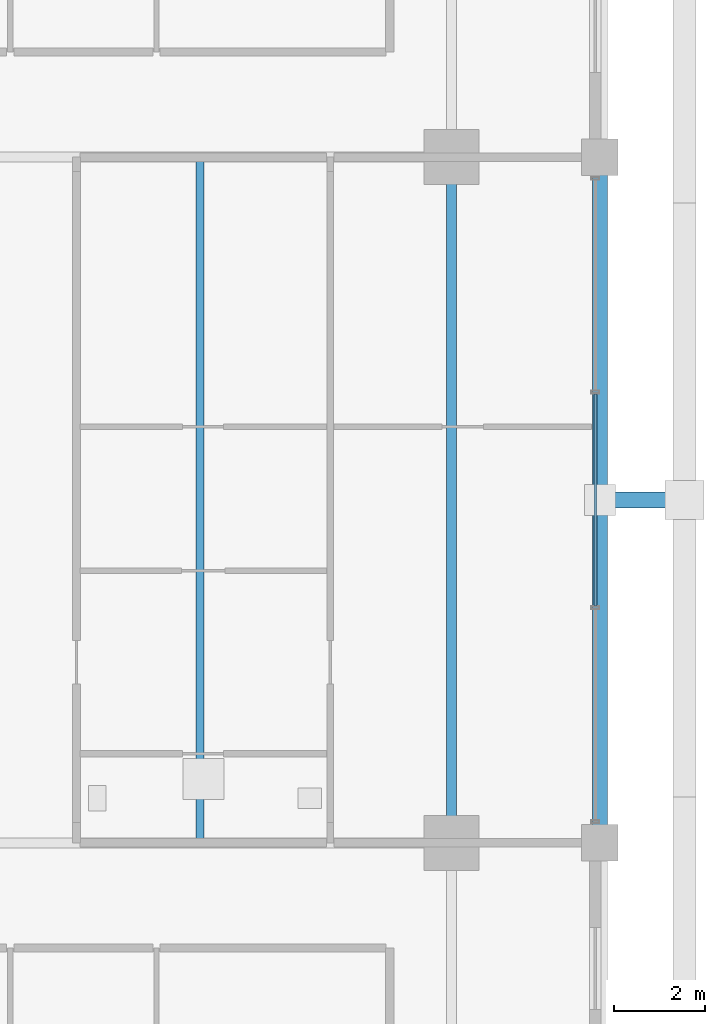
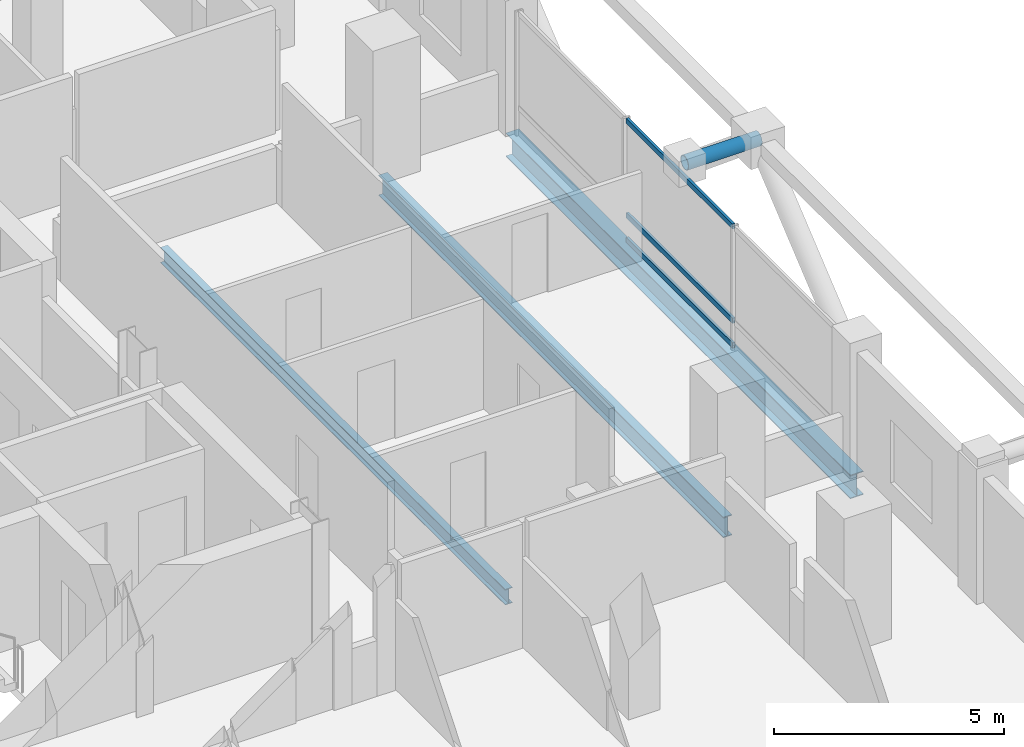
# One storey, part 10 of 25: 4 members, 3 beams, 1 element without a shape of its own.
"""IFC4 building model written with IfcOpenShell, lengths in metres."""

from ifc_helpers import new_model, si_unit, direction, frame, origin, origin_2d, place, context, subcontext, project, spatial, hollow_rectangle, hollow_circle, i_section, extrude, material, layer, layer_set, material_profile, profile_set, type_object, element, aggregate, save


model = new_model("IFC4")

# Units and contexts
model_context = context("Model", 3, precision=1e-05, world=origin(), true_north=direction((0.0, 1.0)))
body_context = subcontext(model_context, "Body", "Model", "MODEL_VIEW")
ifc_project = project(units=[si_unit("LENGTHUNIT", "METRE"), si_unit("AREAUNIT", "SQUARE_METRE"), si_unit("VOLUMEUNIT", "CUBIC_METRE"), si_unit("PLANEANGLEUNIT", "RADIAN"), si_unit("MASSUNIT", "GRAM", prefix="KILO")], contexts=[model_context])

# Site, building, storey
site_placement = place(None, origin())
site = spatial("IfcSite", under=ifc_project, at=site_placement, CompositionType="ELEMENT")
building_placement = place(site_placement, origin())
building = spatial("IfcBuilding", under=site, at=building_placement, Name="Barlavira Tower and Art Museum", CompositionType="ELEMENT")
storey_placement = place(building_placement, frame((0.0, 0.0, 162.0)))
storey = spatial("IfcBuildingStorey", under=building, at=storey_placement, Name="L41", CompositionType="ELEMENT", Elevation=162.0)

# Curtain wall, members
ifc_material_1 = material(Name="Low-iron coastal laminated glass", Category="glass")
ifc_layer = layer(ifc_material_1, 0.18994140625, Name="Low-iron coastal laminated glass")
ifc_layer_set = layer_set([ifc_layer], Name="Low-iron coastal laminated glass")
curtain_wall_type = type_object("IfcCurtainWallType", Name="Pale-Metal Unitised Curtain Wall Zone 2", PredefinedType="NOTDEFINED", material=ifc_layer_set)
curtain_wall_placement = place(storey_placement, origin())
curtain_wall = element("IfcCurtainWall", 1, at=curtain_wall_placement, inside=storey, type_object=curtain_wall_type, Name="L41 Curtain Wall CW2-L41-E-B3", PredefinedType="NOTDEFINED")
ifc_material_2 = material(Name="Pale anodised aluminium", Category="aluminium")
ifc_material_profile_1 = material_profile(ifc_material_2, hollow_rectangle(XDim=0.06494140625, YDim=0.139892578125, WallThickness=0.00390625, at=origin_2d()), Name="ALU-TRAN 65x140x4")
ifc_profile_set_1 = profile_set([ifc_material_profile_1], Name="Pale anodised aluminium")
member_type_1 = type_object("IfcMemberType", Name="Curtain Wall Pale-Metal Transom 65x140", PredefinedType="USERDEFINED", material=ifc_profile_set_1)
member_1_placement = place(storey_placement, frame((20.14990234375, -2.31494140625, 0.070068359375), z_axis=(0.0, 1.0, 0.0), x_axis=(-1.0, 0.0, 0.0)))
member_1 = element("IfcMember", 2, at=member_1_placement, type_object=member_type_1, Name="CW2-L41-E-B3 Transom 1.1", ObjectType="TRANSOM", PredefinedType="USERDEFINED", context=body_context, shape_type="SweptSolid", body=[
    extrude(hollow_rectangle(XDim=0.06494140625, YDim=0.139892578125, WallThickness=0.00390625, at=origin_2d()), origin(), (0.0, 0.0, 1.0), 4.6298828125),
])
member_2_placement = place(storey_placement, frame((20.14990234375, -2.31494140625, 0.72607421875), z_axis=(0.0, 1.0, 0.0), x_axis=(-1.0, 0.0, 0.0)))
member_2 = element("IfcMember", 3, at=member_2_placement, type_object=member_type_1, Name="CW2-L41-E-B3 Transom 1.2", ObjectType="TRANSOM", PredefinedType="USERDEFINED", context=body_context, shape_type="SweptSolid", body=[
    extrude(hollow_rectangle(XDim=0.06494140625, YDim=0.139892578125, WallThickness=0.00390625, at=origin_2d()), origin(), (0.0, 0.0, 1.0), 4.6298828125),
])
member_3_placement = place(storey_placement, frame((20.14990234375, -2.31494140625, 3.22998046875), z_axis=(0.0, 1.0, 0.0), x_axis=(-1.0, 0.0, 0.0)))
member_3 = element("IfcMember", 4, at=member_3_placement, type_object=member_type_1, Name="CW2-L41-E-B3 Transom 1.3", ObjectType="TRANSOM", PredefinedType="USERDEFINED", context=body_context, shape_type="SweptSolid", body=[
    extrude(hollow_rectangle(XDim=0.06494140625, YDim=0.139892578125, WallThickness=0.00390625, at=origin_2d()), origin(), (0.0, 0.0, 1.0), 4.6298828125),
])
aggregate(curtain_wall, [member_1, member_2, member_3])

# Member
ifc_material_3 = material(Name="Steel S355", Category="steel")
ifc_material_profile_2 = material_profile(ifc_material_3, hollow_circle(Radius=0.177734375, WallThickness=0.01611328125, at=origin_2d()), Name="CHS 355.6x16.0")
ifc_profile_set_2 = profile_set([ifc_material_profile_2], Name="Steel S355")
member_type_2 = type_object("IfcMemberType", Name="Pale-Metal Exoskeleton Tie Strut CHS 356x16 Steel S355", PredefinedType="STRUT", material=ifc_profile_set_2)
member_4_placement = place(storey_placement, frame((22.10009765625, 0.0, 3.47998046875), z_axis=(-1.0, 0.0, 0.0), x_axis=(0.0, -1.0, 0.0)))
element("IfcMember", 5, at=member_4_placement, inside=storey, type_object=member_type_2, Name="L41 Exoskeleton Top Tie Strut E2", PredefinedType="STRUT", context=body_context, shape_type="SweptSolid", body=[
    extrude(hollow_circle(Radius=0.177734375, WallThickness=0.01611328125, at=origin_2d()), origin(), (0.0, 0.0, 1.0), 1.85009765625),
])

# Beams
ifc_material_profile_3 = material_profile(ifc_material_3, i_section(OverallWidth=0.327880859375, OverallDepth=0.62890625, WebThickness=0.013916015625, FlangeThickness=0.021484375, at=origin_2d()), Name="W610x174.0")
ifc_profile_set_3 = profile_set([ifc_material_profile_3], Name="Steel S355")
beam_type_1 = type_object("IfcBeamType", Name="Perimeter Spandrel Edge Beam W610x174 Steel S355", PredefinedType="SPANDREL", material=ifc_profile_set_3)
beam_1_placement = place(storey_placement, frame((20.25, -7.5, -0.534423828125), z_axis=(0.0, 1.0, 0.0), x_axis=(-1.0, 0.0, 0.0)))
element("IfcBeam", 6, at=beam_1_placement, inside=storey, type_object=beam_type_1, Name="L41 Spandrel 6", PredefinedType="SPANDREL", context=body_context, shape_type="SweptSolid", body=[
    extrude(i_section(OverallWidth=0.327880859375, OverallDepth=0.62890625, WebThickness=0.013916015625, FlangeThickness=0.021484375, at=origin_2d()), origin(), (0.0, 0.0, 1.0), 15.0),
])
ifc_material_profile_4 = material_profile(ifc_material_3, i_section(OverallWidth=0.214111328125, OverallDepth=0.549072265625, WebThickness=0.0146484375, FlangeThickness=0.023681640625, at=origin_2d()), Name="W530x138.0")
ifc_profile_set_4 = profile_set([ifc_material_profile_4], Name="Steel S355")
beam_type_2 = type_object("IfcBeamType", Name="Zone 1 Primary Floor Girder W530x138 Steel S355", PredefinedType="BEAM", material=ifc_profile_set_4)
beam_2_placement = place(storey_placement, frame((17.0, -7.5, -0.494384765625), z_axis=(0.0, 1.0, 0.0), x_axis=(-1.0, 0.0, 0.0)))
element("IfcBeam", 7, at=beam_2_placement, inside=storey, type_object=beam_type_2, Name="L41 Girder M-E2", PredefinedType="BEAM", context=body_context, shape_type="SweptSolid", body=[
    extrude(i_section(OverallWidth=0.214111328125, OverallDepth=0.549072265625, WebThickness=0.0146484375, FlangeThickness=0.023681640625, at=origin_2d()), origin(), (0.0, 0.0, 1.0), 15.0),
])
ifc_material_profile_5 = material_profile(ifc_material_3, i_section(OverallWidth=0.179931640625, OverallDepth=0.4130859375, WebThickness=0.009765625, FlangeThickness=0.01611328125, at=origin_2d()), Name="W410x75.0")
ifc_profile_set_5 = profile_set([ifc_material_profile_5], Name="Steel S355")
beam_type_3 = type_object("IfcBeamType", Name="Zone 2 Composite Floor Joist W410x75 Steel S355", PredefinedType="JOIST", material=ifc_profile_set_5)
beam_3_placement = place(storey_placement, frame((11.5, -7.5, -0.426513671875), z_axis=(0.0, 1.0, 0.0), x_axis=(-1.0, 0.0, 0.0)))
element("IfcBeam", 8, at=beam_3_placement, inside=storey, type_object=beam_type_3, Name="L41 Joist W2", PredefinedType="JOIST", context=body_context, shape_type="SweptSolid", body=[
    extrude(i_section(OverallWidth=0.179931640625, OverallDepth=0.4130859375, WebThickness=0.009765625, FlangeThickness=0.01611328125, at=origin_2d()), origin(), (0.0, 0.0, 1.0), 15.0),
])

save(model, "model.ifc")
